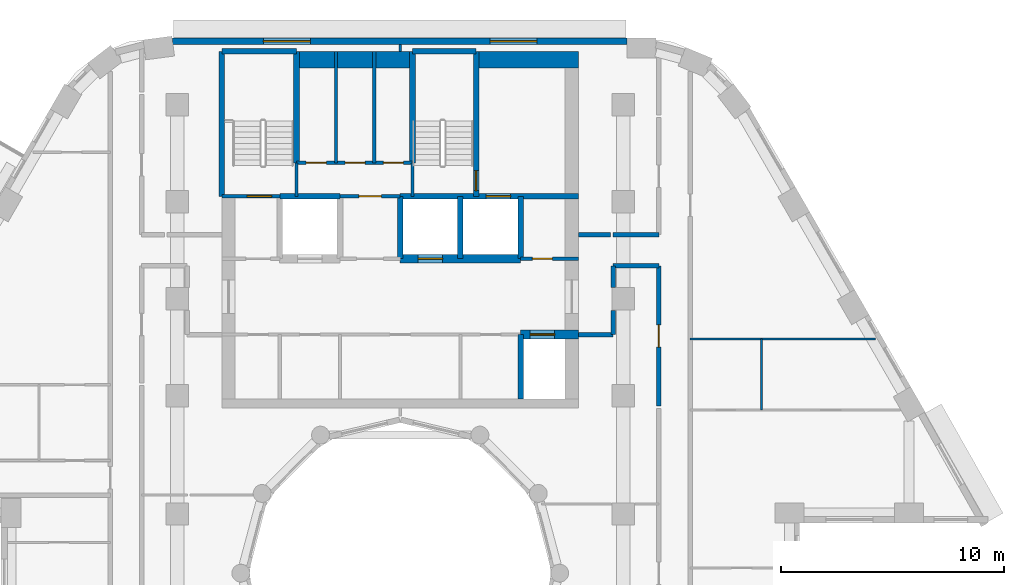
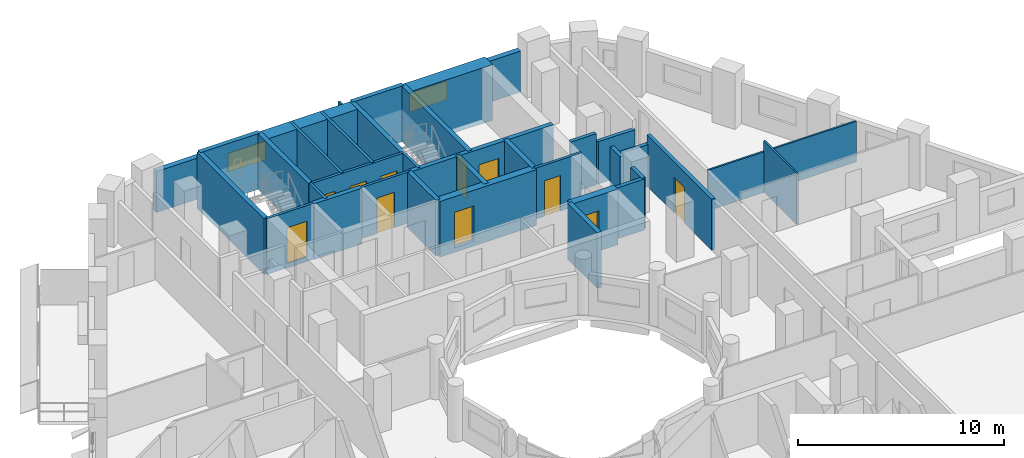
# One storey, part 8 of 13: 35 walls, 11 doors, 2 windows, 13 openings.
"""IFC4 building model written with IfcOpenShell, lengths in metres."""

import ifcopenshell
import ifcopenshell.guid

model = None  # the IFC model being written
_history = None  # IfcOwnerHistory: only IFC2X3 demands one
_inside = {}  # id of a spatial element -> (the spatial element, [elements in it])
_under = {}  # id of a project, library or spatial element -> (it, [spatial elements below it])
_declared = {}  # id of a project -> (the project, [libraries it declares])
_typed = {}  # id of a type object -> (the type object, [elements of that type])
_made_of = {}  # id of a material, layer set ... -> (it, [elements and type objects made of it])


def new_model(schema):
    """Start an empty IFC model of exactly this schema.

    Asked for "IFC4X3", IfcOpenShell would pick the latest addendum, in which some entities
    have other attributes; the version numbers below select the first issue.
    IFC2X3 requires an IfcOwnerHistory on every rooted entity: one is made here for all.
    """
    global model, _history
    if schema == "IFC4X3":
        model = ifcopenshell.file(schema_version=(4, 3, 0, 0))
    else:
        model = ifcopenshell.file(schema=schema)
    _inside.clear()
    _under.clear()
    _declared.clear()
    _typed.clear()
    _made_of.clear()
    _history = None
    if model.schema == "IFC2X3":
        org = make("IfcOrganization", Name="unknown")
        user = make(
            "IfcPersonAndOrganization",
            ThePerson=make("IfcPerson", FamilyName="unknown"),
            TheOrganization=org,
        )
        app = make(
            "IfcApplication",
            ApplicationDeveloper=org,
            Version="unknown",
            ApplicationFullName="unknown",
            ApplicationIdentifier="unknown",
        )
        _history = make(
            "IfcOwnerHistory",
            OwningUser=user,
            OwningApplication=app,
            ChangeAction="ADDED",
            CreationDate=0,
        )
    return model


def make(cls, **values):
    """One entity of the class cls with the attributes given. An attribute that is None is left unset."""
    return model.create_entity(
        cls, **{name: value for name, value in values.items() if value is not None}
    )


def rooted(cls, **values):
    """An entity with a GlobalId (a new one), such as an element, a storey or a relation."""
    return make(cls, GlobalId=ifcopenshell.guid.new(), OwnerHistory=_history, **values)


def si_unit(unit_type, name, prefix=None):
    """IfcSIUnit, for example si_unit("LENGTHUNIT", "METRE", prefix="MILLI")."""
    return make("IfcSIUnit", UnitType=unit_type, Prefix=prefix, Name=name)


def assignment(units):
    """IfcUnitAssignment: the units of a project."""
    return None if units is None else make("IfcUnitAssignment", Units=units)


def point(xyz):
    """IfcCartesianPoint."""
    return None if xyz is None else make("IfcCartesianPoint", Coordinates=xyz)


def direction(xyz):
    """IfcDirection."""
    return None if xyz is None else make("IfcDirection", DirectionRatios=xyz)


def frame(location, z_axis=None, x_axis=None):
    """IfcAxis2Placement3D, a coordinate frame: its origin and axes. An axis left out is left unset."""
    return make(
        "IfcAxis2Placement3D",
        Location=point(location),
        Axis=direction(z_axis),
        RefDirection=direction(x_axis),
    )


def frame_2d(location, x_axis=None):
    """IfcAxis2Placement2D, a coordinate frame in the plane: its origin and x axis."""
    return make(
        "IfcAxis2Placement2D", Location=point(location), RefDirection=direction(x_axis)
    )


def origin():
    """The frame at (0, 0, 0) with its axes left unset."""
    return frame((0.0, 0.0, 0.0))


def place(relative_to, where):
    """IfcLocalPlacement: puts the frame where relative to a parent placement (None: the world)."""
    return make(
        "IfcLocalPlacement", PlacementRelTo=relative_to, RelativePlacement=where
    )


def context(
    kind, dimensions, precision=None, world=None, true_north=None, identifier=None
):
    """IfcGeometricRepresentationContext, for example the 3D "Model" context."""
    return make(
        "IfcGeometricRepresentationContext",
        ContextIdentifier=identifier,
        ContextType=kind,
        CoordinateSpaceDimension=dimensions,
        Precision=precision,
        WorldCoordinateSystem=world,
        TrueNorth=true_north,
    )


def subcontext(parent, identifier, kind, view, scale=None):
    """IfcGeometricRepresentationSubContext, for example "Body" below "Model"."""
    return make(
        "IfcGeometricRepresentationSubContext",
        ContextIdentifier=identifier,
        ContextType=kind,
        ParentContext=parent,
        TargetScale=scale,
        TargetView=view,
    )


def project(units=None, contexts=None):
    """IfcProject with its units and contexts."""
    return rooted(
        "IfcProject",
        Name="project",
        RepresentationContexts=contexts,
        UnitsInContext=assignment(units),
    )


def spatial(cls, under=None, at=None, **own):
    """A site, building, storey or space (cls), placed at a placement, below another one or the project."""
    s = rooted(cls, ObjectPlacement=at, **own)
    if under is not None:
        _under.setdefault(under.id(), (under, []))[1].append(s)
    return s


def profile(cls, at=None, kind="AREA", **sizes):
    """A parametric profile (cls). Its sizes go by their IFC names, for example OverallWidth=200.0."""
    return make(cls, ProfileType=kind, Position=at, **sizes)


def rectangle(**sizes):
    """IfcRectangleProfileDef."""
    return profile("IfcRectangleProfileDef", **sizes)


def extrude(swept, where, along, depth):
    """IfcExtrudedAreaSolid: the profile swept, set in the frame where, extruded along a direction by depth."""
    return make(
        "IfcExtrudedAreaSolid",
        SweptArea=swept,
        Position=where,
        ExtrudedDirection=direction(along),
        Depth=depth,
    )


def shape(context_of_items, identifier, shape_type, items):
    """IfcShapeRepresentation: the items that make up one representation, for example the "Body"."""
    return make(
        "IfcShapeRepresentation",
        ContextOfItems=context_of_items,
        RepresentationIdentifier=identifier,
        RepresentationType=shape_type,
        Items=items,
    )


def material(Name=None, Category=None):
    """IfcMaterial."""
    return make("IfcMaterial", Name=Name, Category=Category)


def layer(
    of_material, thickness, ventilated=None, Name=None, Category=None, Priority=None
):
    """IfcMaterialLayer: one layer of a wall or slab, of a material (None: an air gap)."""
    return make(
        "IfcMaterialLayer",
        Material=of_material,
        LayerThickness=thickness,
        IsVentilated=ventilated,
        Name=Name,
        Category=Category,
        Priority=Priority,
    )


def layer_set(layers, Name=None):
    """IfcMaterialLayerSet."""
    return make("IfcMaterialLayerSet", MaterialLayers=layers, LayerSetName=Name)


def made_of(thing, what):
    """Note that an element or type object is made of a material, layer set ...; save() writes the relation."""
    if what is not None:
        _made_of.setdefault(what.id(), (what, []))[1].append(thing)
    return thing


def type_object(cls, material=None, **own):
    """A type object (cls), such as IfcWallType, which elements share."""
    return made_of(rooted(cls, **own), material)


def element(
    cls,
    number,
    at=None,
    inside=None,
    cuts=None,
    type_object=None,
    material=None,
    context=None,
    identifier="Body",
    shape_type=None,
    held_by="IfcProductDefinitionShape",
    body=None,
    shapes=None,
    **own,
):
    """One element of the class cls, such as IfcWall. Its Tag is "e" and its number.

    at: its placement. inside: the storey or other place that contains it. cuts: it is an
    opening in that element (IfcRelVoidsElement). A single representation is given by context,
    identifier, shape_type and body (its items); several are given by shapes. held_by: the class
    of the entity that holds the representations. save() writes the other relations.
    """
    e = rooted(cls, Tag="e%d" % number, ObjectPlacement=at, **own)
    if body is not None:
        shapes = [shape(context, identifier, shape_type, body)]
    if shapes is not None:
        e.Representation = make(held_by, Representations=shapes)
    if inside is not None:
        _inside.setdefault(inside.id(), (inside, []))[1].append(e)
    if cuts is not None:
        rooted(
            "IfcRelVoidsElement", RelatingBuildingElement=cuts, RelatedOpeningElement=e
        )
    if type_object is not None:
        _typed.setdefault(type_object.id(), (type_object, []))[1].append(e)
    return made_of(e, material)


def fill(opening, filler):
    """IfcRelFillsElement: the door or window that sits in an opening."""
    return rooted(
        "IfcRelFillsElement",
        RelatingOpeningElement=opening,
        RelatedBuildingElement=filler,
    )


def aggregate(whole, parts):
    """IfcRelAggregates: a whole, such as a stair, and the parts it consists of."""
    return rooted("IfcRelAggregates", RelatingObject=whole, RelatedObjects=parts)


def save(model, path):
    """Write the relations noted so far, then the file.

    IfcRelAggregates (storeys below a building ...), IfcRelContainedInSpatialStructure (elements
    in a storey), IfcRelDefinesByType, IfcRelAssociatesMaterial and IfcRelDeclares: one each for
    every whole, place, type object, material and project.
    """
    for whole, parts in _under.values():
        aggregate(whole, parts)
    for where, things in _inside.values():
        rooted(
            "IfcRelContainedInSpatialStructure",
            RelatedElements=things,
            RelatingStructure=where,
        )
    for kind, things in _typed.values():
        rooted("IfcRelDefinesByType", RelatedObjects=things, RelatingType=kind)
    for what, things in _made_of.values():
        rooted("IfcRelAssociatesMaterial", RelatedObjects=things, RelatingMaterial=what)
    for by, libraries in _declared.values():
        rooted("IfcRelDeclares", RelatingContext=by, RelatedDefinitions=libraries)
    model.write(path)


model = new_model("IFC4")

# Units and contexts
model_context = context("Model", 3, precision=1e-05, world=origin(), true_north=direction((0.0, 1.0)))
body_context = subcontext(model_context, "Body", "Model", "MODEL_VIEW")
ifc_project = project(units=[si_unit("LENGTHUNIT", "METRE"), si_unit("AREAUNIT", "SQUARE_METRE"), si_unit("VOLUMEUNIT", "CUBIC_METRE"), si_unit("PLANEANGLEUNIT", "RADIAN"), si_unit("MASSUNIT", "GRAM", prefix="KILO")], contexts=[model_context])

# Site, building, storey
site_placement = place(None, origin())
site = spatial("IfcSite", under=ifc_project, at=site_placement, CompositionType="ELEMENT")
building_placement = place(site_placement, origin())
building = spatial("IfcBuilding", under=site, at=building_placement, Name="Nakaniwa Court", CompositionType="ELEMENT")
storey_placement = place(building_placement, frame((0.0, 0.0, 143.699951171875)))
storey = spatial("IfcBuildingStorey", under=building, at=storey_placement, Name="L37", CompositionType="ELEMENT", Elevation=143.699951171875)

# Wall, opening, door
ifc_material_1 = material(Name="Acoustic double stud partition")
ifc_layer_1 = layer(ifc_material_1, 0.199951171875)
ifc_layer_set_1 = layer_set([ifc_layer_1], Name="Acoustic double stud partition")
wall_type_1 = type_object("IfcWallType", Name="Acoustic double stud partition 200", PredefinedType="PARTITIONING", material=ifc_layer_set_1)
wall_1_placement = place(storey_placement, frame((91.60009765625, 87.4873046875, 0.0), z_axis=(0.0, 0.0, 1.0), x_axis=(0.0, 1.0, 0.0)))
wall_1 = element("IfcWall", 1, at=wall_1_placement, inside=storey, type_object=wall_type_1, Name="Partition PW-076", PredefinedType="PARTITIONING", context=body_context, shape_type="SweptSolid", body=[
    extrude(rectangle(XDim=6.28759765625, YDim=0.199951171875, at=frame_2d((3.143798828125, 0.0))), origin(), (0.0, 0.0, 1.0), 3.025146484375),
])
opening_1_placement = place(wall_1_placement, frame((2.64501953125, 0.0, 0.0)))
opening_1 = element("IfcOpeningElement", 2, at=opening_1_placement, cuts=wall_1, Name="Opening D-02-10", PredefinedType="OPENING", context=body_context, shape_type="SweptSolid", body=[
    extrude(rectangle(XDim=1.0, YDim=2.10009765625, at=frame_2d((0.5, 1.050048828125))), frame((0.0, 0.10986328125, 0.0), z_axis=(0.0, -1.0, 0.0), x_axis=(1.0, 0.0, 0.0)), (0.0, 0.0, 1.0), 0.219970703125),
])
ifc_material_2 = material(Name="Solid core timber door set, black veneer", Category="wood")
door_type_1 = type_object("IfcDoorType", Name="Internal door 1000", OperationType="NOTDEFINED", PredefinedType="DOOR", material=ifc_material_2)
door_1_placement = place(opening_1_placement, origin())
door_1 = element("IfcDoor", 3, at=door_1_placement, inside=storey, type_object=door_type_1, Name="Door D-02-10 L37-051", OperationType="SINGLE_SWING_RIGHT", OverallHeight=2.10009765625, OverallWidth=1.0, PredefinedType="DOOR", context=body_context, shape_type="SweptSolid", body=[
    extrude(rectangle(XDim=1.0, YDim=2.10009765625, at=frame_2d((0.5, 1.050048828125))), frame((0.0, 0.02490234375, 0.0), z_axis=(0.0, -1.0, 0.0), x_axis=(1.0, 0.0, 0.0)), (0.0, 0.0, 1.0), 0.050048828125),
])
fill(opening_1, door_1)

# Walls
wall_2_placement = place(storey_placement, frame((89.550048828125, 90.699951171875, 0.0), z_axis=(0.0, 0.0, 1.0), x_axis=(0.0, 1.0, 0.0)))
element("IfcWall", 4, at=wall_2_placement, inside=storey, type_object=wall_type_1, Name="Partition PW-088", PredefinedType="PARTITIONING", context=body_context, shape_type="SweptSolid", body=[
    extrude(rectangle(XDim=1.082763671875, YDim=0.199951171875, at=frame_2d((0.54150390625, 0.0))), origin(), (0.0, 0.0, 1.0), 3.025146484375),
])
wall_3_placement = place(storey_placement, frame((89.550048828125, 92.817138671875, 0.0), z_axis=(0.0, 0.0, 1.0), x_axis=(0.0, 1.0, 0.0)))
element("IfcWall", 5, at=wall_3_placement, inside=storey, type_object=wall_type_1, Name="Partition PW-089", PredefinedType="PARTITIONING", context=body_context, shape_type="SweptSolid", body=[
    extrude(rectangle(XDim=0.957763671875, YDim=0.199951171875, at=frame_2d((0.47900390625, 0.0))), origin(), (0.0, 0.0, 1.0), 3.025146484375),
])
wall_4_placement = place(storey_placement, frame((89.550048828125, 93.77490234375, 0.0), z_axis=(0.0, 0.0, 1.0), x_axis=(1.0, 0.0, 0.0)))
element("IfcWall", 6, at=wall_4_placement, inside=storey, type_object=wall_type_1, Name="Partition PW-093", PredefinedType="PARTITIONING", context=body_context, shape_type="SweptSolid", body=[
    extrude(rectangle(XDim=2.050048828125, YDim=0.199951171875, at=frame_2d((1.02490234375, 0.0))), origin(), (0.0, 0.0, 1.0), 2.505126953125),
])
wall_5_placement = place(storey_placement, frame((88.0, 90.699951171875, 0.0), z_axis=(0.0, 0.0, 1.0), x_axis=(1.0, 0.0, 0.0)))
element("IfcWall", 7, at=wall_5_placement, inside=storey, type_object=wall_type_1, Name="Partition PW-095", PredefinedType="PARTITIONING", context=body_context, shape_type="SweptSolid", body=[
    extrude(rectangle(XDim=1.550048828125, YDim=0.199951171875, at=frame_2d((0.77490234375, 0.0))), origin(), (0.0, 0.0, 1.0), 3.025146484375),
])
wall_6_placement = place(storey_placement, frame((88.0, 95.175048828125, 0.0), z_axis=(0.0, 0.0, 1.0), x_axis=(1.0, 0.0, 0.0)))
element("IfcWall", 8, at=wall_6_placement, inside=storey, type_object=wall_type_1, Name="Partition PW-098", PredefinedType="PARTITIONING", context=body_context, shape_type="SweptSolid", body=[
    extrude(rectangle(XDim=1.4228515625, YDim=0.199951171875, at=frame_2d((0.71142578125, 0.0))), origin(), (0.0, 0.0, 1.0), 3.025146484375),
])
wall_7_placement = place(storey_placement, frame((89.537109375, 95.175048828125, 0.0), z_axis=(0.0, 0.0, 1.0), x_axis=(1.0, 0.0, 0.0)))
element("IfcWall", 9, at=wall_7_placement, inside=storey, type_object=wall_type_1, Name="Partition PW-099", PredefinedType="PARTITIONING", context=body_context, shape_type="SweptSolid", body=[
    extrude(rectangle(XDim=2.06298828125, YDim=0.199951171875, at=frame_2d((1.031494140625, 0.0))), origin(), (0.0, 0.0, 1.0), 2.505126953125),
])

# Wall, openings, windows
ifc_material_3 = material(Name="Charcoal ceramic cladding")
ifc_layer_2 = layer(ifc_material_3, 0.02, Name="Ceramic cladding")
ifc_material_4 = material(Name="Ventilated air cavity")
ifc_layer_3 = layer(ifc_material_4, 0.04, ventilated=True, Name="Ventilated cavity")
ifc_material_5 = material(Name="Mineral wool insulation")
ifc_layer_4 = layer(ifc_material_5, 0.1, Name="Insulation")
ifc_material_6 = material(Name="Cement bonded sheathing board")
ifc_layer_5 = layer(ifc_material_6, 0.012, Name="Sheathing")
ifc_material_7 = material(Name="Cold-formed galvanised stud frame with mineral wool infill")
ifc_layer_6 = layer(ifc_material_7, 0.1, Name="Stud frame")
ifc_material_8 = material(Name="Fire-rated gypsum plasterboard lining")
ifc_layer_7 = layer(ifc_material_8, 0.028, Name="Lining")
ifc_layer_set_2 = layer_set([ifc_layer_2, ifc_layer_3, ifc_layer_4, ifc_layer_5, ifc_layer_6, ifc_layer_7], Name="Charcoal ceramic faced external wall system")
wall_type_2 = type_object("IfcWallType", Name="Black ceramic faced external wall 300", PredefinedType="SOLIDWALL", material=ifc_layer_set_2)
wall_8_placement = place(storey_placement, frame((90.1787109375, 103.85009765625, 0.0), z_axis=(0.0, 0.0, 1.0), x_axis=(-1.0, 0.0, 0.0)))
wall_8 = element("IfcWall", 10, at=wall_8_placement, inside=storey, type_object=wall_type_2, Name="L37 external wall 08", PredefinedType="SOLIDWALL", context=body_context, shape_type="SweptSolid", body=[
    extrude(rectangle(XDim=20.391357421875, YDim=0.300048828125, at=frame_2d((10.19580078125, 0.0))), origin(), (0.0, 0.0, 1.0), 2.425048828125),
])
opening_2_placement = place(wall_8_placement, frame((4.05126953125, 0.0, 0.89990234375)))
opening_2 = element("IfcOpeningElement", 11, at=opening_2_placement, cuts=wall_8, Name="Opening W7.09", PredefinedType="OPENING", context=body_context, shape_type="SweptSolid", body=[
    extrude(rectangle(XDim=2.10009765625, YDim=1.10009765625, at=frame_2d((1.050048828125, 0.550048828125))), frame((0.0, 0.159912109375, 0.0), z_axis=(0.0, -1.0, 0.0), x_axis=(1.0, 0.0, 0.0)), (0.0, 0.0, 1.0), 0.320068359375),
])
opening_3_placement = place(wall_8_placement, frame((14.211669921875, 0.0, 0.89990234375)))
opening_3 = element("IfcOpeningElement", 12, at=opening_3_placement, cuts=wall_8, Name="Opening W7.10", PredefinedType="OPENING", context=body_context, shape_type="SweptSolid", body=[
    extrude(rectangle(XDim=2.10009765625, YDim=1.10009765625, at=frame_2d((1.050048828125, 0.550048828125))), frame((0.0, 0.159912109375, 0.0), z_axis=(0.0, -1.0, 0.0), x_axis=(1.0, 0.0, 0.0)), (0.0, 0.0, 1.0), 0.320068359375),
])
ifc_material_9 = material(Name="Black anodised aluminium frame with dark low-E laminated double glazing", Category="aluminium")
window_type = type_object("IfcWindowType", Name="Dark glass window 2100x1100 sill 900", PartitioningType="SINGLE_PANEL", PredefinedType="WINDOW", material=ifc_material_9)
window_1_placement = place(opening_2_placement, origin())
window_1 = element("IfcWindow", 13, at=window_1_placement, inside=storey, type_object=window_type, Name="L37 habitable room window 08-0", OverallHeight=1.10009765625, OverallWidth=2.10009765625, PartitioningType="SINGLE_PANEL", PredefinedType="WINDOW", context=body_context, shape_type="SweptSolid", body=[
    extrude(rectangle(XDim=2.10009765625, YDim=1.10009765625, at=frame_2d((1.050048828125, 0.550048828125))), frame((0.0, 0.030029296875, 0.0), z_axis=(0.0, -1.0, 0.0), x_axis=(1.0, 0.0, 0.0)), (0.0, 0.0, 1.0), 0.06005859375),
])
fill(opening_2, window_1)
window_2_placement = place(opening_3_placement, origin())
window_2 = element("IfcWindow", 14, at=window_2_placement, inside=storey, type_object=window_type, Name="L37 habitable room window 08-1", OverallHeight=1.10009765625, OverallWidth=2.10009765625, PartitioningType="SINGLE_PANEL", PredefinedType="WINDOW", context=body_context, shape_type="SweptSolid", body=[
    extrude(rectangle(XDim=2.10009765625, YDim=1.10009765625, at=frame_2d((1.050048828125, 0.550048828125))), frame((0.0, 0.030029296875, 0.0), z_axis=(0.0, -1.0, 0.0), x_axis=(1.0, 0.0, 0.0)), (0.0, 0.0, 1.0), 0.06005859375),
])
fill(opening_3, window_2)

# Wall, opening, door
ifc_material_10 = material(Name="Blockwork partition", Category="masonry")
ifc_layer_8 = layer(ifc_material_10, 0.14990234375)
ifc_layer_set_3 = layer_set([ifc_layer_8], Name="Blockwork partition")
wall_type_3 = type_object("IfcWallType", Name="Blockwork partition 150", PredefinedType="PARTITIONING", material=ifc_layer_set_3)
wall_9_placement = place(storey_placement, frame((85.39697265625, 94.10009765625, 0.0), z_axis=(0.0, 0.0, 1.0), x_axis=(1.0, 0.0, 0.0)))
wall_9 = element("IfcWall", 15, at=wall_9_placement, inside=storey, type_object=wall_type_3, Name="Partition PW-012", PredefinedType="PARTITIONING", context=body_context, shape_type="SweptSolid", body=[
    extrude(rectangle(XDim=2.60302734375, YDim=0.14990234375, at=frame_2d((1.301513671875, 0.0))), origin(), (0.0, 0.0, 1.0), 3.025146484375),
])
opening_4_placement = place(wall_9_placement, frame((0.528076171875, 0.0, 0.0)))
opening_4 = element("IfcOpeningElement", 16, at=opening_4_placement, cuts=wall_9, Name="Opening D-05-05", PredefinedType="OPENING", context=body_context, shape_type="SweptSolid", body=[
    extrude(rectangle(XDim=0.89990234375, YDim=2.10009765625, at=frame_2d((0.449951171875, 1.050048828125))), frame((0.0, 0.0849609375, 0.0), z_axis=(0.0, -1.0, 0.0), x_axis=(1.0, 0.0, 0.0)), (0.0, 0.0, 1.0), 0.169921875),
])
ifc_material_11 = material(Name="Fire rated steel door set", Category="steel")
door_type_2 = type_object("IfcDoorType", Name="Service room door 900", OperationType="NOTDEFINED", PredefinedType="DOOR", material=ifc_material_11)
door_2_placement = place(opening_4_placement, origin())
door_2 = element("IfcDoor", 17, at=door_2_placement, inside=storey, type_object=door_type_2, Name="Door D-05-05 L37-007", OperationType="SINGLE_SWING_RIGHT", OverallHeight=2.10009765625, OverallWidth=0.89990234375, PredefinedType="DOOR", context=body_context, shape_type="SweptSolid", body=[
    extrude(rectangle(XDim=0.89990234375, YDim=2.10009765625, at=frame_2d((0.449951171875, 1.050048828125))), frame((0.0, 0.02490234375, 0.0), z_axis=(0.0, -1.0, 0.0), x_axis=(1.0, 0.0, 0.0)), (0.0, 0.0, 1.0), 0.050048828125),
])
fill(opening_4, door_2)

wall_10_placement = place(storey_placement, frame((77.300048828125, 96.89990234375, 0.0), z_axis=(0.0, 0.0, 1.0), x_axis=(1.0, 0.0, 0.0)))
wall_10 = element("IfcWall", 18, at=wall_10_placement, inside=storey, type_object=wall_type_3, Name="Partition PW-021", PredefinedType="PARTITIONING", context=body_context, shape_type="SweptSolid", body=[
    extrude(rectangle(XDim=2.699951171875, YDim=0.14990234375, at=frame_2d((1.35009765625, 0.0))), origin(), (0.0, 0.0, 1.0), 3.025146484375),
])
opening_5_placement = place(wall_10_placement, frame((0.85009765625, 0.0, 0.0)))
opening_5 = element("IfcOpeningElement", 19, at=opening_5_placement, cuts=wall_10, Name="Opening D-23-01", PredefinedType="OPENING", context=body_context, shape_type="SweptSolid", body=[
    extrude(rectangle(XDim=1.0, YDim=2.10009765625, at=frame_2d((0.5, 1.050048828125))), frame((0.0, 0.0849609375, 0.0), z_axis=(0.0, -1.0, 0.0), x_axis=(1.0, 0.0, 0.0)), (0.0, 0.0, 1.0), 0.169921875),
])
door_type_3 = type_object("IfcDoorType", Name="Service room door 1000", OperationType="NOTDEFINED", PredefinedType="DOOR", material=ifc_material_11)
door_3_placement = place(opening_5_placement, origin())
door_3 = element("IfcDoor", 20, at=door_3_placement, inside=storey, type_object=door_type_3, Name="Door D-23-01 L37-008", OperationType="SINGLE_SWING_LEFT", OverallHeight=2.10009765625, OverallWidth=1.0, PredefinedType="DOOR", context=body_context, shape_type="SweptSolid", body=[
    extrude(rectangle(XDim=1.0, YDim=2.10009765625, at=frame_2d((0.5, 1.050048828125))), frame((0.0, 0.02490234375, 0.0), z_axis=(0.0, -1.0, 0.0), x_axis=(1.0, 0.0, 0.0)), (0.0, 0.0, 1.0), 0.050048828125),
])
fill(opening_5, door_3)

# Wall, openings, doors
wall_11_placement = place(storey_placement, frame((75.35009765625, 98.39990234375, 0.0), z_axis=(0.0, 0.0, 1.0), x_axis=(1.0, 0.0, 0.0)))
wall_11 = element("IfcWall", 21, at=wall_11_placement, inside=storey, type_object=wall_type_3, Name="Partition PW-033", PredefinedType="PARTITIONING", context=body_context, shape_type="SweptSolid", body=[
    extrude(rectangle(XDim=5.199951171875, YDim=0.14990234375, at=frame_2d((2.60009765625, 0.0))), origin(), (0.0, 0.0, 1.0), 3.025146484375),
])
opening_6_placement = place(wall_11_placement, frame((0.43408203125, 0.0, 0.0)))
opening_6 = element("IfcOpeningElement", 22, at=opening_6_placement, cuts=wall_11, Name="Opening D-05-06", PredefinedType="OPENING", context=body_context, shape_type="SweptSolid", body=[
    extrude(rectangle(XDim=0.89990234375, YDim=2.10009765625, at=frame_2d((0.449951171875, 1.050048828125))), frame((0.0, 0.0849609375, 0.0), z_axis=(0.0, -1.0, 0.0), x_axis=(1.0, 0.0, 0.0)), (0.0, 0.0, 1.0), 0.169921875),
])
opening_7_placement = place(wall_11_placement, frame((2.176025390625, 0.0, 0.0)))
opening_7 = element("IfcOpeningElement", 23, at=opening_7_placement, cuts=wall_11, Name="Opening D-05-07", PredefinedType="OPENING", context=body_context, shape_type="SweptSolid", body=[
    extrude(rectangle(XDim=0.89990234375, YDim=2.10009765625, at=frame_2d((0.449951171875, 1.050048828125))), frame((0.0, 0.0849609375, 0.0), z_axis=(0.0, -1.0, 0.0), x_axis=(1.0, 0.0, 0.0)), (0.0, 0.0, 1.0), 0.169921875),
])
opening_8_placement = place(wall_11_placement, frame((3.89208984375, 0.0, 0.0)))
opening_8 = element("IfcOpeningElement", 24, at=opening_8_placement, cuts=wall_11, Name="Opening D-05-08", PredefinedType="OPENING", context=body_context, shape_type="SweptSolid", body=[
    extrude(rectangle(XDim=0.89990234375, YDim=2.10009765625, at=frame_2d((0.449951171875, 1.050048828125))), frame((0.0, 0.0849609375, 0.0), z_axis=(0.0, -1.0, 0.0), x_axis=(1.0, 0.0, 0.0)), (0.0, 0.0, 1.0), 0.169921875),
])
door_4_placement = place(opening_6_placement, origin())
door_4 = element("IfcDoor", 25, at=door_4_placement, inside=storey, type_object=door_type_2, Name="Door D-05-06 L37-009", OperationType="SINGLE_SWING_RIGHT", OverallHeight=2.10009765625, OverallWidth=0.89990234375, PredefinedType="DOOR", context=body_context, shape_type="SweptSolid", body=[
    extrude(rectangle(XDim=0.89990234375, YDim=2.10009765625, at=frame_2d((0.449951171875, 1.050048828125))), frame((0.0, 0.02490234375, 0.0), z_axis=(0.0, -1.0, 0.0), x_axis=(1.0, 0.0, 0.0)), (0.0, 0.0, 1.0), 0.050048828125),
])
fill(opening_6, door_4)
door_5_placement = place(opening_7_placement, origin())
door_5 = element("IfcDoor", 26, at=door_5_placement, inside=storey, type_object=door_type_2, Name="Door D-05-07 L37-010", OperationType="SINGLE_SWING_LEFT", OverallHeight=2.10009765625, OverallWidth=0.89990234375, PredefinedType="DOOR", context=body_context, shape_type="SweptSolid", body=[
    extrude(rectangle(XDim=0.89990234375, YDim=2.10009765625, at=frame_2d((0.449951171875, 1.050048828125))), frame((0.0, 0.02490234375, 0.0), z_axis=(0.0, -1.0, 0.0), x_axis=(1.0, 0.0, 0.0)), (0.0, 0.0, 1.0), 0.050048828125),
])
fill(opening_7, door_5)
door_6_placement = place(opening_8_placement, origin())
door_6 = element("IfcDoor", 27, at=door_6_placement, inside=storey, type_object=door_type_2, Name="Door D-05-08 L37-011", OperationType="SINGLE_SWING_RIGHT", OverallHeight=2.10009765625, OverallWidth=0.89990234375, PredefinedType="DOOR", context=body_context, shape_type="SweptSolid", body=[
    extrude(rectangle(XDim=0.89990234375, YDim=2.10009765625, at=frame_2d((0.449951171875, 1.050048828125))), frame((0.0, 0.02490234375, 0.0), z_axis=(0.0, -1.0, 0.0), x_axis=(1.0, 0.0, 0.0)), (0.0, 0.0, 1.0), 0.050048828125),
])
fill(opening_8, door_6)

# Walls
for number, where, z_axis, x_axis, name in (
    (28, (77.117919921875, 98.39990234375, 0.0), (0.0, 0.0, 1.0), (0.0, 1.0, 0.0), "Partition PW-034"),
    (29, (78.833984375, 98.39990234375, 0.0), (0.0, 0.0, 1.0), (0.0, 1.0, 0.0), "Partition PW-035"),
):
    element("IfcWall", number, at=place(storey_placement, frame(where, z_axis=z_axis, x_axis=x_axis)), inside=storey, type_object=wall_type_3, Name=name, PredefinedType="PARTITIONING", context=body_context, shape_type="SweptSolid", body=[
        extrude(rectangle(XDim=5.0, YDim=0.14990234375, at=frame_2d((2.5, 0.0))), origin(), (0.0, 0.0, 1.0), 3.025146484375),
    ])

# Wall, opening, door
ifc_material_12 = material(Name="Concrete C80/100", Category="concrete")
ifc_layer_9 = layer(ifc_material_12, 0.39990234375)
ifc_layer_set_4 = layer_set([ifc_layer_9], Name="Concrete C80/100")
wall_type_4 = type_object("IfcWallType", Name="Concrete core spine wall 400 C80", PredefinedType="SHEAR", material=ifc_layer_set_4)
wall_12_placement = place(storey_placement, frame((85.39990234375, 90.699951171875, -0.27490234375), z_axis=(0.0, 0.0, 1.0), x_axis=(1.0, 0.0, 0.0)))
wall_12 = element("IfcWall", 30, at=wall_12_placement, inside=storey, type_object=wall_type_4, Name="Core wall SW-06", PredefinedType="SHEAR", context=body_context, shape_type="SweptSolid", body=[
    extrude(rectangle(XDim=2.60009765625, YDim=0.39990234375, at=frame_2d((1.300048828125, 0.0))), origin(), (0.0, 0.0, 1.0), 3.300048828125),
])
opening_9_placement = place(wall_12_placement, frame((0.425048828125, 0.0, 0.27490234375)))
opening_9 = element("IfcOpeningElement", 31, at=opening_9_placement, cuts=wall_12, Name="Opening LD01", PredefinedType="OPENING", context=body_context, shape_type="SweptSolid", body=[
    extrude(rectangle(XDim=1.10009765625, YDim=2.10009765625, at=frame_2d((0.550048828125, 1.050048828125))), frame((0.0, 0.2099609375, 0.0), z_axis=(0.0, -1.0, 0.0), x_axis=(1.0, 0.0, 0.0)), (0.0, 0.0, 1.0), 0.419921875),
])
ifc_material_13 = material(Name="Stainless steel sliding lift landing door", Category="steel")
door_type_4 = type_object("IfcDoorType", Name="Lift landing door 1100", OperationType="NOTDEFINED", PredefinedType="DOOR", material=ifc_material_13)
door_7_placement = place(opening_9_placement, origin())
door_7 = element("IfcDoor", 32, at=door_7_placement, inside=storey, type_object=door_type_4, Name="Lift landing door LD01 L37-001", OperationType="SLIDING_TO_LEFT", OverallHeight=2.10009765625, OverallWidth=1.10009765625, PredefinedType="DOOR", context=body_context, shape_type="SweptSolid", body=[
    extrude(rectangle(XDim=1.10009765625, YDim=2.10009765625, at=frame_2d((0.550048828125, 1.050048828125))), frame((0.0, 0.02490234375, 0.0), z_axis=(0.0, -1.0, 0.0), x_axis=(1.0, 0.0, 0.0)), (0.0, 0.0, 1.0), 0.050048828125),
])
fill(opening_9, door_7)

wall_13_placement = place(storey_placement, frame((79.9970703125, 94.10009765625, -0.27490234375), z_axis=(0.0, 0.0, 1.0), x_axis=(1.0, 0.0, 0.0)))
wall_13 = element("IfcWall", 33, at=wall_13_placement, inside=storey, type_object=wall_type_4, Name="Core wall SW-14", PredefinedType="SHEAR", context=body_context, shape_type="SweptSolid", body=[
    extrude(rectangle(XDim=5.406005859375, YDim=0.39990234375, at=frame_2d((2.703125, 0.0))), origin(), (0.0, 0.0, 1.0), 3.300048828125),
])
opening_10_placement = place(wall_13_placement, frame((0.802978515625, 0.0, 0.27490234375)))
opening_10 = element("IfcOpeningElement", 34, at=opening_10_placement, cuts=wall_13, Name="Opening LD03", PredefinedType="OPENING", context=body_context, shape_type="SweptSolid", body=[
    extrude(rectangle(XDim=1.10009765625, YDim=2.10009765625, at=frame_2d((0.550048828125, 1.050048828125))), frame((0.0, 0.2099609375, 0.0), z_axis=(0.0, -1.0, 0.0), x_axis=(1.0, 0.0, 0.0)), (0.0, 0.0, 1.0), 0.419921875),
])
door_8_placement = place(opening_10_placement, origin())
door_8 = element("IfcDoor", 35, at=door_8_placement, inside=storey, type_object=door_type_4, Name="Lift landing door LD03 L37-003", OperationType="SLIDING_TO_LEFT", OverallHeight=2.10009765625, OverallWidth=1.10009765625, PredefinedType="DOOR", context=body_context, shape_type="SweptSolid", body=[
    extrude(rectangle(XDim=1.10009765625, YDim=2.10009765625, at=frame_2d((0.550048828125, 1.050048828125))), frame((0.0, 0.02490234375, 0.0), z_axis=(0.0, -1.0, 0.0), x_axis=(1.0, 0.0, 0.0)), (0.0, 0.0, 1.0), 0.050048828125),
])
fill(opening_10, door_8)

ifc_layer_10 = layer(ifc_material_12, 0.14990234375)
ifc_layer_set_5 = layer_set([ifc_layer_10], Name="Concrete C80/100")
wall_type_5 = type_object("IfcWallType", Name="Concrete core wall 150 C80", PredefinedType="SHEAR", material=ifc_layer_set_5)
wall_14_placement = place(storey_placement, frame((74.60009765625, 96.89990234375, -0.27490234375), z_axis=(0.0, 0.0, 1.0), x_axis=(-1.0, 0.0, 0.0)))
wall_14 = element("IfcWall", 36, at=wall_14_placement, inside=storey, type_object=wall_type_5, Name="Core wall SW-16", PredefinedType="SHEAR", context=body_context, shape_type="SweptSolid", body=[
    extrude(rectangle(XDim=2.60009765625, YDim=0.14990234375, at=frame_2d((1.300048828125, 0.0))), origin(), (0.0, 0.0, 1.0), 3.300048828125),
])
opening_11_placement = place(wall_14_placement, frame((0.3701171875, 0.0, 0.27490234375)))
opening_11 = element("IfcOpeningElement", 37, at=opening_11_placement, cuts=wall_14, Name="Opening D-09-01", PredefinedType="OPENING", context=body_context, shape_type="SweptSolid", body=[
    extrude(rectangle(XDim=1.10009765625, YDim=2.10009765625, at=frame_2d((0.550048828125, 1.050048828125))), frame((0.0, 0.0849609375, 0.0), z_axis=(0.0, -1.0, 0.0), x_axis=(1.0, 0.0, 0.0)), (0.0, 0.0, 1.0), 0.169921875),
])
door_type_5 = type_object("IfcDoorType", Name="Stair door 1100", OperationType="NOTDEFINED", PredefinedType="DOOR", material=ifc_material_11)
door_9_placement = place(opening_11_placement, origin())
door_9 = element("IfcDoor", 38, at=door_9_placement, inside=storey, type_object=door_type_5, Name="Door D-09-01 L37-012", OperationType="SINGLE_SWING_RIGHT", OverallHeight=2.10009765625, OverallWidth=1.10009765625, PredefinedType="DOOR", context=body_context, shape_type="SweptSolid", body=[
    extrude(rectangle(XDim=1.10009765625, YDim=2.10009765625, at=frame_2d((0.550048828125, 1.050048828125))), frame((0.0, 0.02490234375, 0.0), z_axis=(0.0, -1.0, 0.0), x_axis=(1.0, 0.0, 0.0)), (0.0, 0.0, 1.0), 0.050048828125),
])
fill(opening_11, door_9)

# Walls
for number, where, z_axis, x_axis, name in (
    (39, (75.35009765625, 96.89990234375, -0.27490234375), (0.0, 0.0, 1.0), (0.0, 1.0, 0.0), "Core wall SW-23"),
    (40, (80.550048828125, 96.89990234375, -0.27490234375), (0.0, 0.0, 1.0), (0.0, 1.0, 0.0), "Core wall SW-29"),
):
    element("IfcWall", number, at=place(storey_placement, frame(where, z_axis=z_axis, x_axis=x_axis)), inside=storey, type_object=wall_type_5, Name=name, PredefinedType="SHEAR", context=body_context, shape_type="SweptSolid", body=[
        extrude(rectangle(XDim=1.503173828125, YDim=0.14990234375, at=frame_2d((0.75146484375, 0.0))), origin(), (0.0, 0.0, 1.0), 3.300048828125),
    ])
ifc_layer_11 = layer(ifc_material_12, 0.25)
ifc_layer_set_6 = layer_set([ifc_layer_11], Name="Concrete C80/100")
wall_type_6 = type_object("IfcWallType", Name="Concrete core wall 250 C80", PredefinedType="SHEAR", material=ifc_layer_set_6)
wall_15_placement = place(storey_placement, frame((72.0, 103.39990234375, -0.27490234375), z_axis=(0.0, 0.0, 1.0), x_axis=(1.0, 0.0, 0.0)))
element("IfcWall", 41, at=wall_15_placement, inside=storey, type_object=wall_type_6, Name="Core wall SW-25", PredefinedType="SHEAR", context=body_context, shape_type="SweptSolid", body=[
    extrude(rectangle(XDim=3.35009765625, YDim=0.25, at=frame_2d((1.675048828125, 0.0))), origin(), (0.0, 0.0, 1.0), 3.300048828125),
])
wall_16_placement = place(storey_placement, frame((80.550048828125, 103.39990234375, -0.27490234375), z_axis=(0.0, 0.0, 1.0), x_axis=(1.0, 0.0, 0.0)))
element("IfcWall", 42, at=wall_16_placement, inside=storey, type_object=wall_type_6, Name="Core wall SW-26", PredefinedType="SHEAR", context=body_context, shape_type="SweptSolid", body=[
    extrude(rectangle(XDim=2.849853515625, YDim=0.25, at=frame_2d((1.4248046875, 0.0))), origin(), (0.0, 0.0, 1.0), 3.300048828125),
])
wall_17_placement = place(storey_placement, frame((72.0, 96.89990234375, -0.27490234375), z_axis=(0.0, 0.0, 1.0), x_axis=(0.0, 1.0, 0.0)))
element("IfcWall", 43, at=wall_17_placement, inside=storey, type_object=wall_type_6, Name="Core wall SW-27", PredefinedType="SHEAR", context=body_context, shape_type="SweptSolid", body=[
    extrude(rectangle(XDim=6.5, YDim=0.25, at=frame_2d((3.25, 0.0))), origin(), (0.0, 0.0, 1.0), 3.300048828125),
])
ifc_layer_12 = layer(ifc_material_12, 0.75)
ifc_layer_set_7 = layer_set([ifc_layer_12], Name="Concrete C80/100")
wall_type_7 = type_object("IfcWallType", Name="Concrete core wall 750 C80", PredefinedType="SHEAR", material=ifc_layer_set_7)
wall_18_placement = place(storey_placement, frame((75.35009765625, 103.02490234375, -0.27490234375), z_axis=(0.0, 0.0, 1.0), x_axis=(1.0, 0.0, 0.0)))
element("IfcWall", 44, at=wall_18_placement, inside=storey, type_object=wall_type_7, Name="Core wall SW-31", PredefinedType="SHEAR", context=body_context, shape_type="SweptSolid", body=[
    extrude(rectangle(XDim=5.199951171875, YDim=0.75, at=frame_2d((2.60009765625, 0.0))), origin(), (0.0, 0.0, 1.0), 3.300048828125),
])
wall_19_placement = place(storey_placement, frame((83.39990234375, 103.02490234375, -0.27490234375), z_axis=(0.0, 0.0, 1.0), x_axis=(1.0, 0.0, 0.0)))
element("IfcWall", 45, at=wall_19_placement, inside=storey, type_object=wall_type_7, Name="Core wall SW-32", PredefinedType="SHEAR", context=body_context, shape_type="SweptSolid", body=[
    extrude(rectangle(XDim=4.60009765625, YDim=0.75, at=frame_2d((2.300048828125, 0.0))), origin(), (0.0, 0.0, 1.0), 3.300048828125),
])
ifc_layer_13 = layer(ifc_material_12, 0.25)
ifc_layer_set_8 = layer_set([ifc_layer_13], Name="Concrete C80/100")
wall_type_8 = type_object("IfcWallType", Name="Concrete shaft wall 250 C80", PredefinedType="SHEAR", material=ifc_layer_set_8)
wall_20_placement = place(storey_placement, frame((85.39990234375, 87.800048828125, -0.27490234375), z_axis=(0.0, 0.0, 1.0), x_axis=(0.0, 1.0, 0.0)))
element("IfcWall", 46, at=wall_20_placement, inside=storey, type_object=wall_type_8, Name="Core wall SW-04", PredefinedType="SHEAR", context=body_context, shape_type="SweptSolid", body=[
    extrude(rectangle(XDim=2.89990234375, YDim=0.25, at=frame_2d((1.449951171875, 0.0))), origin(), (0.0, 0.0, 1.0), 3.300048828125),
])
wall_21_placement = place(storey_placement, frame((85.39990234375, 94.10009765625, -0.27490234375), z_axis=(0.0, 0.0, 1.0), x_axis=(0.0, 1.0, 0.0)))
element("IfcWall", 47, at=wall_21_placement, inside=storey, type_object=wall_type_8, Name="Core wall SW-05", PredefinedType="SHEAR", context=body_context, shape_type="SweptSolid", body=[
    extrude(rectangle(XDim=2.7998046875, YDim=0.25, at=frame_2d((1.39990234375, 0.0))), origin(), (0.0, 0.0, 1.0), 3.300048828125),
])
wall_22_placement = place(storey_placement, frame((74.60009765625, 96.89990234375, -0.27490234375), z_axis=(0.0, 0.0, 1.0), x_axis=(1.0, 0.0, 0.0)))
element("IfcWall", 48, at=wall_22_placement, inside=storey, type_object=wall_type_8, Name="Core wall SW-18", PredefinedType="SHEAR", context=body_context, shape_type="SweptSolid", body=[
    extrude(rectangle(XDim=2.699951171875, YDim=0.25, at=frame_2d((1.35009765625, 0.0))), origin(), (0.0, 0.0, 1.0), 3.300048828125),
])

# Wall, opening, door
wall_23_placement = place(storey_placement, frame((80.0, 96.89990234375, -0.27490234375), z_axis=(0.0, 0.0, 1.0), x_axis=(1.0, 0.0, 0.0)))
wall_23 = element("IfcWall", 49, at=wall_23_placement, inside=storey, type_object=wall_type_8, Name="Core wall SW-19", PredefinedType="SHEAR", context=body_context, shape_type="SweptSolid", body=[
    extrude(rectangle(XDim=8.0, YDim=0.25, at=frame_2d((4.0, 0.0))), origin(), (0.0, 0.0, 1.0), 3.300048828125),
])
opening_12_placement = place(wall_23_placement, frame((3.84912109375, 0.0, 0.27490234375)))
opening_12 = element("IfcOpeningElement", 50, at=opening_12_placement, cuts=wall_23, Name="Opening LD04", PredefinedType="OPENING", context=body_context, shape_type="SweptSolid", body=[
    extrude(rectangle(XDim=1.10009765625, YDim=2.10009765625, at=frame_2d((0.550048828125, 1.050048828125))), frame((0.0, 0.135009765625, 0.0), z_axis=(0.0, -1.0, 0.0), x_axis=(1.0, 0.0, 0.0)), (0.0, 0.0, 1.0), 0.27001953125),
])
door_10_placement = place(opening_12_placement, origin())
door_10 = element("IfcDoor", 51, at=door_10_placement, inside=storey, type_object=door_type_4, Name="Lift landing door LD04 L37-004", OperationType="SLIDING_TO_LEFT", OverallHeight=2.10009765625, OverallWidth=1.10009765625, PredefinedType="DOOR", context=body_context, shape_type="SweptSolid", body=[
    extrude(rectangle(XDim=1.10009765625, YDim=2.10009765625, at=frame_2d((0.550048828125, 1.050048828125))), frame((0.0, 0.02490234375, 0.0), z_axis=(0.0, -1.0, 0.0), x_axis=(1.0, 0.0, 0.0)), (0.0, 0.0, 1.0), 0.050048828125),
])
fill(opening_12, door_10)

# Walls
for number, where, z_axis, x_axis, name in (
    (52, (80.0, 94.10009765625, -0.27490234375), (0.0, 0.0, 1.0), (0.0, 1.0, 0.0), "Core wall SW-20"),
    (53, (82.699951171875, 94.10009765625, -0.27490234375), (0.0, 0.0, 1.0), (0.0, 1.0, 0.0), "Core wall SW-22"),
):
    element("IfcWall", number, at=place(storey_placement, frame(where, z_axis=z_axis, x_axis=x_axis)), inside=storey, type_object=wall_type_8, Name=name, PredefinedType="SHEAR", context=body_context, shape_type="SweptSolid", body=[
        extrude(rectangle(XDim=2.7998046875, YDim=0.25, at=frame_2d((1.39990234375, 0.0))), origin(), (0.0, 0.0, 1.0), 3.300048828125),
    ])
wall_24_placement = place(storey_placement, frame((75.35009765625, 98.39697265625, -0.27490234375), z_axis=(0.0, 0.0, 1.0), x_axis=(0.0, 1.0, 0.0)))
element("IfcWall", 54, at=wall_24_placement, inside=storey, type_object=wall_type_8, Name="Core wall SW-24", PredefinedType="SHEAR", context=body_context, shape_type="SweptSolid", body=[
    extrude(rectangle(XDim=5.0029296875, YDim=0.25, at=frame_2d((2.50146484375, 0.0))), origin(), (0.0, 0.0, 1.0), 3.300048828125),
])

# Wall, opening, door
wall_25_placement = place(storey_placement, frame((83.39990234375, 103.39990234375, -0.27490234375), z_axis=(0.0, 0.0, 1.0), x_axis=(0.0, -1.0, 0.0)))
wall_25 = element("IfcWall", 55, at=wall_25_placement, inside=storey, type_object=wall_type_8, Name="Core wall SW-28", PredefinedType="SHEAR", context=body_context, shape_type="SweptSolid", body=[
    extrude(rectangle(XDim=6.5, YDim=0.25, at=frame_2d((3.25, 0.0))), origin(), (0.0, 0.0, 1.0), 3.300048828125),
])
opening_13_placement = place(wall_25_placement, frame((5.35009765625, 0.0, 0.27490234375)))
opening_13 = element("IfcOpeningElement", 56, at=opening_13_placement, cuts=wall_25, Name="Opening D-11-01", PredefinedType="OPENING", context=body_context, shape_type="SweptSolid", body=[
    extrude(rectangle(XDim=0.89990234375, YDim=2.10009765625, at=frame_2d((0.449951171875, 1.050048828125))), frame((0.0, 0.135009765625, 0.0), z_axis=(0.0, -1.0, 0.0), x_axis=(1.0, 0.0, 0.0)), (0.0, 0.0, 1.0), 0.27001953125),
])
door_type_6 = type_object("IfcDoorType", Name="Stair door 900", OperationType="NOTDEFINED", PredefinedType="DOOR", material=ifc_material_11)
door_11_placement = place(opening_13_placement, origin())
door_11 = element("IfcDoor", 57, at=door_11_placement, inside=storey, type_object=door_type_6, Name="Door D-11-01 L37-013", OperationType="SINGLE_SWING_LEFT", OverallHeight=2.10009765625, OverallWidth=0.89990234375, PredefinedType="DOOR", context=body_context, shape_type="SweptSolid", body=[
    extrude(rectangle(XDim=0.89990234375, YDim=2.10009765625, at=frame_2d((0.449951171875, 1.050048828125))), frame((0.0, 0.02490234375, 0.0), z_axis=(0.0, -1.0, 0.0), x_axis=(1.0, 0.0, 0.0)), (0.0, 0.0, 1.0), 0.050048828125),
])
fill(opening_13, door_11)

# Walls
wall_26_placement = place(storey_placement, frame((80.550048828125, 98.39697265625, -0.27490234375), z_axis=(0.0, 0.0, 1.0), x_axis=(0.0, 1.0, 0.0)))
element("IfcWall", 58, at=wall_26_placement, inside=storey, type_object=wall_type_8, Name="Core wall SW-30", PredefinedType="SHEAR", context=body_context, shape_type="SweptSolid", body=[
    extrude(rectangle(XDim=5.0029296875, YDim=0.25, at=frame_2d((2.50146484375, 0.0))), origin(), (0.0, 0.0, 1.0), 3.300048828125),
])
ifc_material_14 = material(Name="Single stud plasterboard partition")
ifc_layer_14 = layer(ifc_material_14, 0.10009765625)
ifc_layer_set_9 = layer_set([ifc_layer_14], Name="Single stud plasterboard partition")
wall_type_9 = type_object("IfcWallType", Name="Single stud plasterboard partition 100", PredefinedType="PARTITIONING", material=ifc_layer_set_9)
wall_27_placement = place(storey_placement, frame((80.0, 103.39990234375, 0.0), z_axis=(0.0, 0.0, 1.0), x_axis=(0.0, 1.0, 0.0)))
element("IfcWall", 59, at=wall_27_placement, inside=storey, type_object=wall_type_9, Name="Partition PW-116", PredefinedType="PARTITIONING", context=body_context, shape_type="SweptSolid", body=[
    extrude(rectangle(XDim=0.300048828125, YDim=0.10009765625, at=frame_2d((0.14990234375, 0.0))), origin(), (0.0, 0.0, 1.0), 3.025146484375),
])
wall_28_placement = place(storey_placement, frame((96.200927734375, 87.314453125, 0.0), z_axis=(0.0, 0.0, 1.0), x_axis=(0.0, 1.0, 0.0)))
element("IfcWall", 60, at=wall_28_placement, inside=storey, type_object=wall_type_9, Name="Partition PW-122", PredefinedType="PARTITIONING", context=body_context, shape_type="SweptSolid", body=[
    extrude(rectangle(XDim=3.185546875, YDim=0.10009765625, at=frame_2d((1.5927734375, 0.0))), origin(), (0.0, 0.0, 1.0), 3.025146484375),
])
wall_29_placement = place(storey_placement, frame((93.001220703125, 90.5, 0.0), z_axis=(0.0, 0.0, 1.0), x_axis=(1.0, 0.0, 0.0)))
element("IfcWall", 61, at=wall_29_placement, inside=storey, type_object=wall_type_9, Name="Partition PW-123", PredefinedType="PARTITIONING", context=body_context, shape_type="SweptSolid", body=[
    extrude(rectangle(XDim=8.302978515625, YDim=0.10009765625, at=frame_2d((4.1513671875, 0.0))), origin(), (0.0, 0.0, 1.0), 2.405029296875),
])

save(model, "model.ifc")
